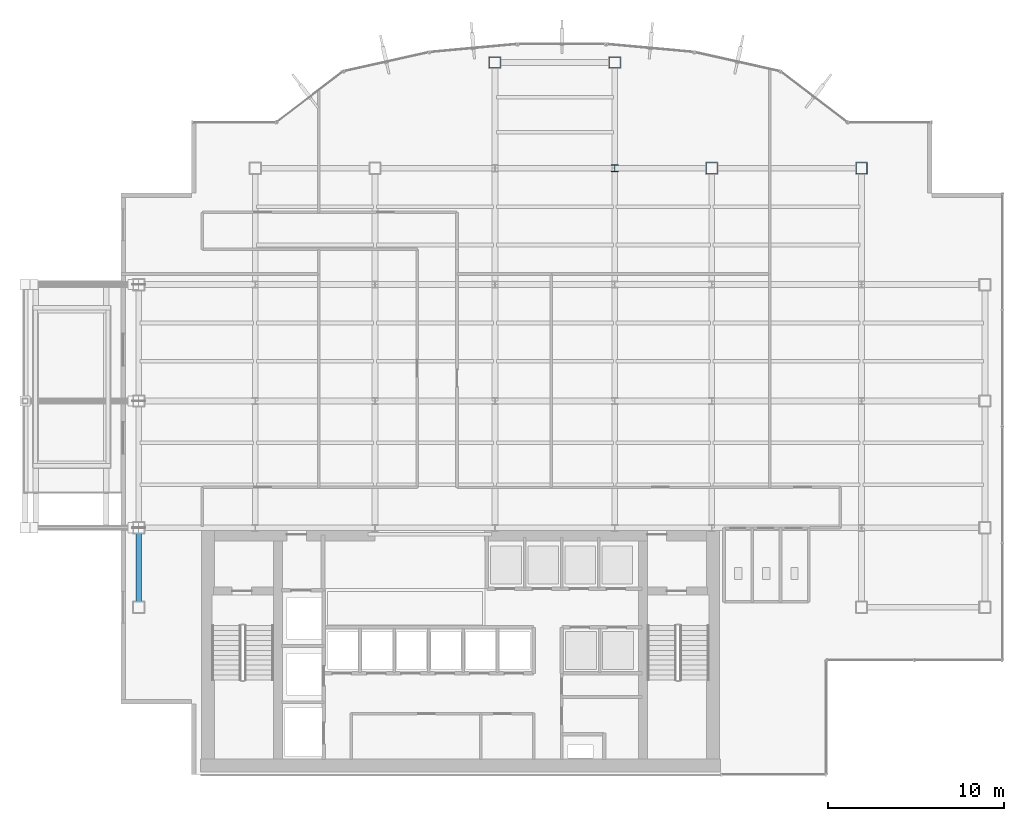
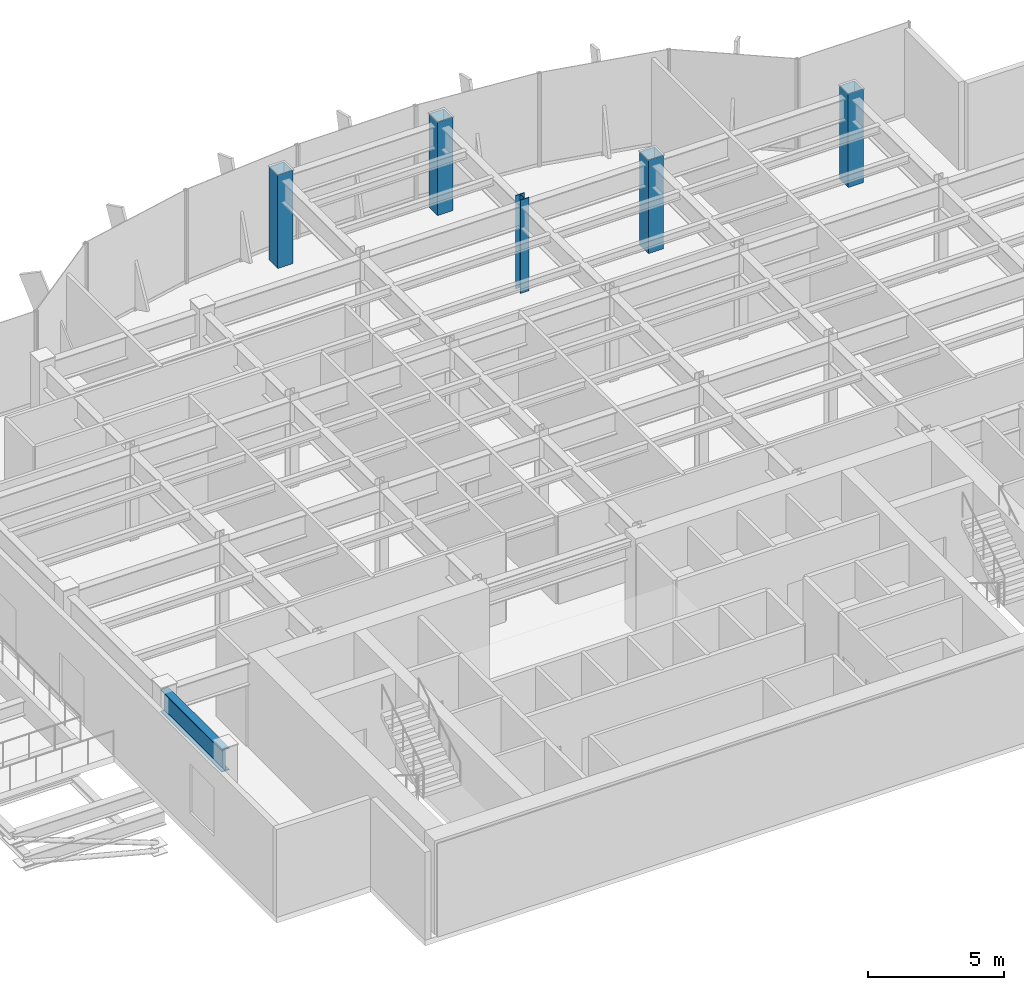
# One storey, part 2 of 26: 5 columns, 1 beam.
"""IFC4 building model written with IfcOpenShell, lengths in metres."""

from ifc_helpers import new_model, si_unit, derived_unit, direction, frame, origin, origin_2d, place, context, subcontext, project, spatial, hollow_rectangle, i_section, extrude, source, transform, mapped, material, material_profile, profile_set, type_object, element, save


model = new_model("IFC4")

# Units and contexts
model_context = context("Model", 3, precision=1e-05, world=origin(), true_north=direction((0.0, 1.0)))
body_context = subcontext(model_context, "Body", "Model", "MODEL_VIEW")
ifc_project = project(units=[si_unit("LENGTHUNIT", "METRE"), si_unit("AREAUNIT", "SQUARE_METRE"), si_unit("VOLUMEUNIT", "CUBIC_METRE"), si_unit("PLANEANGLEUNIT", "RADIAN"), si_unit("MASSUNIT", "GRAM", prefix="KILO"), derived_unit("THERMALTRANSMITTANCEUNIT", [(si_unit("POWERUNIT", "WATT"), 1), (si_unit("LENGTHUNIT", "METRE"), -2), (si_unit("THERMODYNAMICTEMPERATUREUNIT", "KELVIN"), -1)])], contexts=[model_context])

# Site, building, storey
site_placement = place(None, origin())
site = spatial("IfcSite", under=ifc_project, at=site_placement, CompositionType="ELEMENT")
building_placement = place(site_placement, origin())
building = spatial("IfcBuilding", under=site, at=building_placement, Name="Skarnbrae Concourse Arena and Tower", CompositionType="ELEMENT")
storey_placement = place(building_placement, frame((0.0, 0.0, 184.39990234375)))
storey = spatial("IfcBuildingStorey", under=building, at=storey_placement, Name="L47", CompositionType="ELEMENT", Elevation=184.39990234375)

# Columns
ifc_material = material(Name="Steel CSA G40.21 350W", Category="steel")
ifc_material_profile_1 = material_profile(ifc_material, hollow_rectangle(XDim=0.64990234375, YDim=0.64990234375, WallThickness=0.031982421875, at=origin_2d()), Name="BOX650X650X32")
ifc_profile_set_1 = profile_set([ifc_material_profile_1], Name="Steel CSA G40.21 350W")
column_type_1 = type_object("IfcColumnType", Name="COL-TUBE-BOX650", PredefinedType="COLUMN", material=ifc_profile_set_1)
shared_shape_1 = source(origin(), body_context, "Body", "SweptSolid", [
    extrude(hollow_rectangle(XDim=0.64990234375, YDim=0.64990234375, WallThickness=0.031982421875, at=origin_2d()), origin(), (0.0, 0.0, 1.0), 4.2001953125),
])
for number, where, z_axis, x_axis, name in (
    (1, (21.199951171875, 40.39990234375, 0.0), (0.0, 0.0, 1.0), (1.0, 0.0, 0.0), "L47 Tower column PC_04_06"),
    (2, (28.0, 40.39990234375, 0.0), (0.0, 0.0, 1.0), (1.0, 0.0, 0.0), "L47 Tower column PC_05_06"),
    (3, (33.5, 34.39990234375, 0.0), (0.0, 0.0, 1.0), (1.0, 0.0, 0.0), "L47 Tower column PC_06_05"),
    (4, (42.0, 34.39990234375, 0.0), (0.0, 0.0, 1.0), (1.0, 0.0, 0.0), "L47 Tower column PC_07_05"),
):
    element("IfcColumn", number, at=place(storey_placement, frame(where, z_axis=z_axis, x_axis=x_axis)), inside=storey, type_object=column_type_1, Name=name, PredefinedType="COLUMN", context=body_context, shape_type="MappedRepresentation", body=[
        mapped(shared_shape_1, transform((0.0, 0.0, 0.0))),
    ])
ifc_material_profile_2 = material_profile(ifc_material, i_section(OverallWidth=0.3740234375, OverallDepth=0.3720703125, WebThickness=0.016357421875, FlangeThickness=0.026123046875, at=origin_2d()), Name="W360X196")
ifc_profile_set_2 = profile_set([ifc_material_profile_2], Name="Steel CSA G40.21 350W")
column_type_2 = type_object("IfcColumnType", Name="COL-INT-W360X196", PredefinedType="COLUMN", material=ifc_profile_set_2)
shared_shape_2 = source(origin(), body_context, "Body", "SweptSolid", [
    extrude(i_section(OverallWidth=0.3740234375, OverallDepth=0.3720703125, WebThickness=0.016357421875, FlangeThickness=0.026123046875, at=origin_2d()), origin(), (0.0, 0.0, 1.0), 4.2001953125),
])
column_placement = place(storey_placement, frame((28.0, 34.39990234375, 0.0), z_axis=(0.0, 0.0, 1.0), x_axis=(1.0, 0.0, 0.0)))
element("IfcColumn", 5, at=column_placement, inside=storey, type_object=column_type_2, Name="L47 Tower column IC_05_05", PredefinedType="COLUMN", context=body_context, shape_type="MappedRepresentation", body=[
    mapped(shared_shape_2, transform((0.0, 0.0, 0.0))),
])

# Beam
ifc_material_profile_3 = material_profile(ifc_material, i_section(OverallWidth=0.327880859375, OverallDepth=1.0, WebThickness=0.02099609375, FlangeThickness=0.03759765625, at=origin_2d()), Name="W1000X371")
ifc_profile_set_3 = profile_set([ifc_material_profile_3], Name="Steel CSA G40.21 350W")
beam_type = type_object("IfcBeamType", Name="BM-XFER-W1000X371", PredefinedType="BEAM", material=ifc_profile_set_3)
shared_shape_3 = source(origin(), body_context, "Body", "SweptSolid", [
    extrude(i_section(OverallWidth=0.327880859375, OverallDepth=1.0, WebThickness=0.02099609375, FlangeThickness=0.03759765625, at=origin_2d()), origin(), (0.0, 0.0, 1.0), 4.5),
])
beam_placement = place(storey_placement, frame((1.0, 9.5, 3.400146484375), z_axis=(0.0, 1.0, 0.0), x_axis=(-1.0, 0.0, 0.0)))
element("IfcBeam", 6, at=beam_placement, inside=storey, type_object=beam_type, Name="L47 Perimeter spandrel X1.0-1", PredefinedType="BEAM", context=body_context, shape_type="MappedRepresentation", body=[
    mapped(shared_shape_3, transform((0.0, 0.0, 0.0))),
])

save(model, "model.ifc")
